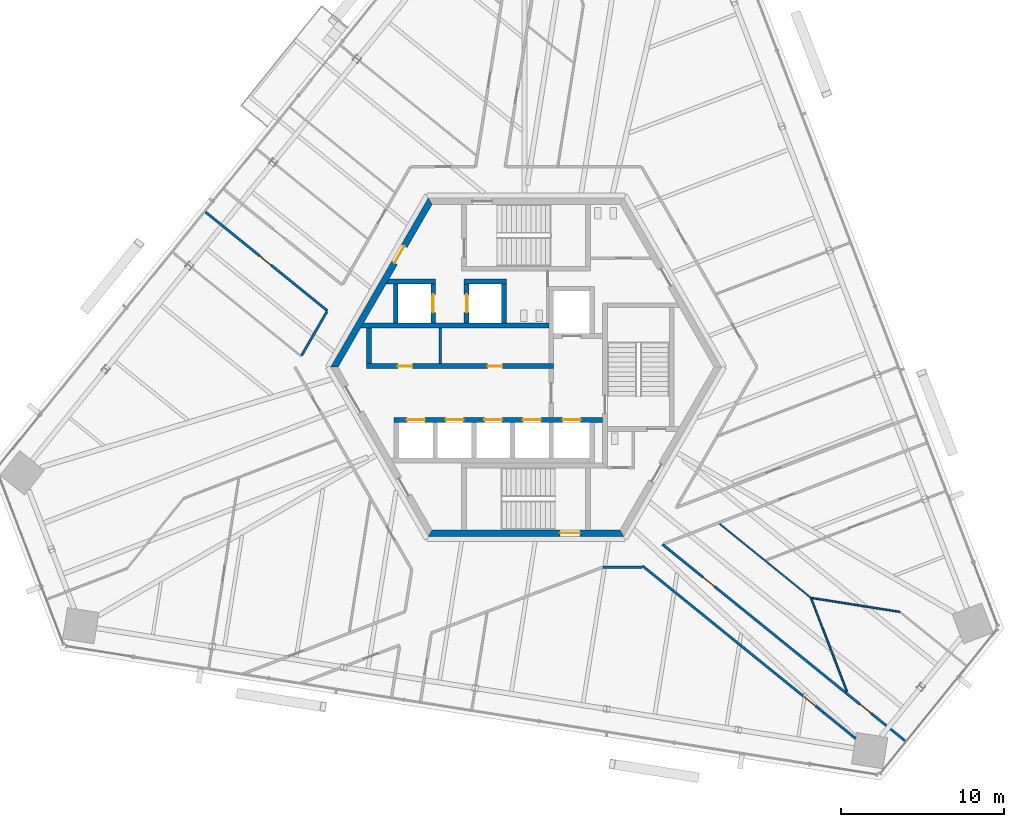
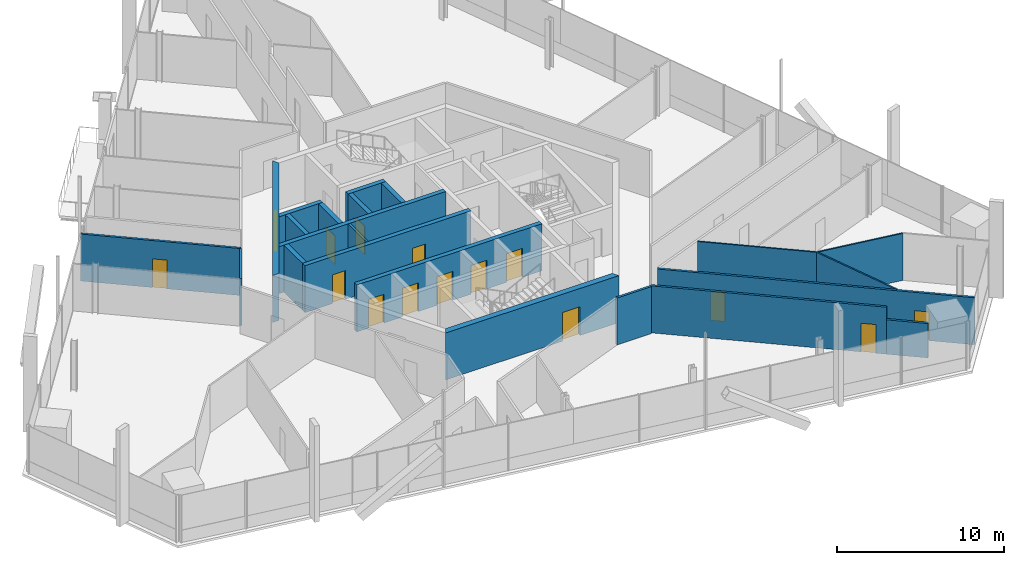
# One storey, part 12 of 21: 22 walls, 15 doors, 15 openings.
"""IFC4 building model written with IfcOpenShell, lengths in metres."""

from ifc_helpers import new_model, si_unit, direction, frame, frame_2d, origin, place, context, subcontext, project, spatial, polyline, rectangle, outline, extrude, source, transform, mapped, material, layer, layer_set, type_object, element, fill, save


model = new_model("IFC4")

# Units and contexts
model_context = context("Model", 3, precision=1e-05, world=origin(), true_north=direction((0.0, 1.0)))
body_context = subcontext(model_context, "Body", "Model", "MODEL_VIEW")
ifc_project = project(units=[si_unit("LENGTHUNIT", "METRE"), si_unit("AREAUNIT", "SQUARE_METRE"), si_unit("VOLUMEUNIT", "CUBIC_METRE"), si_unit("PLANEANGLEUNIT", "RADIAN"), si_unit("MASSUNIT", "GRAM", prefix="KILO")], contexts=[model_context])

# Site, building, storey
site_placement = place(None, origin())
site = spatial("IfcSite", under=ifc_project, at=site_placement, CompositionType="ELEMENT")
building_placement = place(site_placement, origin())
building = spatial("IfcBuilding", under=site, at=building_placement, Name="Triune Harvest Tower", CompositionType="ELEMENT")
storey_placement = place(building_placement, frame((0.0, 0.0, 146.10009765625)))
storey = spatial("IfcBuildingStorey", under=building, at=storey_placement, Name="L37", CompositionType="ELEMENT", Elevation=146.10009765625)

# Walls
ifc_material_1 = material(Name="Gypsum board on steel studs", Category="steel")
ifc_layer_1 = layer(ifc_material_1, 0.14990234375)
ifc_layer_set_1 = layer_set([ifc_layer_1], Name="Gypsum board on steel studs")
wall_type_1 = type_object("IfcWallType", Name="Fire Partition 150 mm", PredefinedType="PARTITIONING", material=ifc_layer_set_1)
wall_1_placement = place(storey_placement, frame((18.27685546875, -21.218505859375, 0.0), z_axis=(0.0, 0.0, 1.0), x_axis=(0.777132380952, -0.629337161206, 0.0)))
element("IfcWall", 1, at=wall_1_placement, inside=storey, type_object=wall_type_1, Name="Partition L37 008a", PredefinedType="PARTITIONING", context=body_context, shape_type="SweptSolid", body=[
    extrude(rectangle(XDim=2.52734375, YDim=0.14990234375, at=frame_2d((1.263671875, 0.0))), origin(), (0.0, 0.0, 1.0), 2.517822265625),
])
ifc_material_2 = material(Name="Gypsum board on steel studs", Category="steel")
ifc_layer_2 = layer(ifc_material_2, 0.10009765625)
ifc_layer_set_2 = layer_set([ifc_layer_2], Name="Gypsum board on steel studs")
wall_type_2 = type_object("IfcWallType", Name="Partition 100 mm", PredefinedType="PARTITIONING", material=ifc_layer_set_2)
wall_2_placement = place(storey_placement, frame((17.56787109375, -14.18115234375, 0.0), z_axis=(0.0, 0.0, 1.0), x_axis=(0.987687038823, -0.156442683883, 0.0)))
element("IfcWall", 2, at=wall_2_placement, inside=storey, type_object=wall_type_2, Name="Partition L37 021", PredefinedType="PARTITIONING", context=body_context, shape_type="SweptSolid", body=[
    extrude(rectangle(XDim=5.457275390625, YDim=0.10009765625, at=frame_2d((2.728515625, 0.0))), origin(), (0.0, 0.0, 1.0), 3.43994140625),
])

# Wall, opening, door
ifc_material_3 = material(Name="Concrete 70 MPa", Category="concrete")
ifc_layer_3 = layer(ifc_material_3, 0.39990234375)
ifc_layer_set_3 = layer_set([ifc_layer_3], Name="Concrete 70 MPa")
wall_type_3 = type_object("IfcWallType", Name="Core wall 400", PredefinedType="SHEAR", material=ifc_layer_set_3)
shared_shape_1 = source(origin(), body_context, "Body", "SweptSolid", [
    extrude(outline(polyline([(-0.115478515625, -0.199951171875), (11.884521484375, -0.199951171875), (11.653564453125, 0.199951171875), (0.115478515625, 0.199951171875), (-0.115478515625, -0.199951171875)])), origin(), (0.0, 0.0, 1.0), 3.43994140625),
])
wall_3_placement = place(storey_placement, frame((-5.884521484375, 10.1923828125, 0.0), z_axis=(0.0, 0.0, 1.0), x_axis=(-0.499996592174, -0.866027371285, 0.0)))
wall_3 = element("IfcWall", 3, at=wall_3_placement, inside=storey, type_object=wall_type_3, Name="Hexagon 2 wall", PredefinedType="SHEAR", context=body_context, shape_type="MappedRepresentation", body=[
    mapped(shared_shape_1, transform((0.0, 0.0, 0.0), scale=1.0)),
])
opening_1_placement = place(wall_3_placement, frame((3.1845703125, 0.0, 0.0)))
opening_1 = element("IfcOpeningElement", 4, at=opening_1_placement, cuts=wall_3, Name="Opening CD-SVP", PredefinedType="OPENING", context=body_context, shape_type="SweptSolid", body=[
    extrude(rectangle(XDim=1.199951171875, YDim=2.10009765625, at=frame_2d((0.60009765625, 1.050048828125))), frame((0.0, 0.2099609375, 0.0), z_axis=(0.0, -1.0, 0.0), x_axis=(1.0, 0.0, 0.0)), (0.0, 0.0, 1.0), 0.419921875),
])
ifc_material_4 = material(Name="Steel S235", Category="steel")
door_type_1 = type_object("IfcDoorType", Name="Service door 1200 FD120", OperationType="SINGLE_SWING_LEFT", PredefinedType="DOOR", material=ifc_material_4)
door_1_placement = place(opening_1_placement, frame((1.199951171875, 0.0, 0.0), z_axis=(0.0, 0.0, 1.0), x_axis=(-1.0, 0.0, 0.0)))
door_1 = element("IfcDoor", 5, at=door_1_placement, inside=storey, type_object=door_type_1, Name="Door CD-SVP", OperationType="SINGLE_SWING_RIGHT", OverallHeight=2.10009765625, OverallWidth=1.199951171875, PredefinedType="DOOR", context=body_context, shape_type="SweptSolid", body=[
    extrude(rectangle(XDim=1.199951171875, YDim=2.10009765625, at=frame_2d((0.60009765625, 1.050048828125))), frame((0.0, 0.02490234375, 0.0), z_axis=(0.0, -1.0, 0.0), x_axis=(1.0, 0.0, 0.0)), (0.0, 0.0, 1.0), 0.050048828125),
])
fill(opening_1, door_1)

wall_4_placement = place(storey_placement, frame((-5.884521484375, -10.1923828125, 0.0), z_axis=(0.0, 0.0, 1.0), x_axis=(1.0, 0.0, 0.0)))
wall_4 = element("IfcWall", 6, at=wall_4_placement, inside=storey, type_object=wall_type_3, Name="Hexagon 4 wall", PredefinedType="SHEAR", context=body_context, shape_type="MappedRepresentation", body=[
    mapped(shared_shape_1, transform((0.0, 0.0, 0.0), scale=1.0)),
])
opening_2_placement = place(wall_4_placement, frame((7.984619140625, 0.0, 0.0)))
opening_2 = element("IfcOpeningElement", 7, at=opening_2_placement, cuts=wall_4, Name="Opening CD-S2P", PredefinedType="OPENING", context=body_context, shape_type="SweptSolid", body=[
    extrude(rectangle(XDim=1.199951171875, YDim=2.10009765625, at=frame_2d((0.60009765625, 1.050048828125))), frame((0.0, 0.2099609375, 0.0), z_axis=(0.0, -1.0, 0.0), x_axis=(1.0, 0.0, 0.0)), (0.0, 0.0, 1.0), 0.419921875),
])
ifc_material_5 = material(Name="Steel S235", Category="steel")
door_type_2 = type_object("IfcDoorType", Name="Stair door 1200 FD120", OperationType="SINGLE_SWING_LEFT", PredefinedType="DOOR", material=ifc_material_5)
door_2_placement = place(opening_2_placement, frame((1.199951171875, 0.0, 0.0), z_axis=(0.0, 0.0, 1.0), x_axis=(-1.0, 0.0, 0.0)))
door_2 = element("IfcDoor", 8, at=door_2_placement, inside=storey, type_object=door_type_2, Name="Door CD-S2P", OperationType="SINGLE_SWING_RIGHT", OverallHeight=2.10009765625, OverallWidth=1.199951171875, PredefinedType="DOOR", context=body_context, shape_type="SweptSolid", body=[
    extrude(rectangle(XDim=1.199951171875, YDim=2.10009765625, at=frame_2d((0.60009765625, 1.050048828125))), frame((0.0, 0.02490234375, 0.0), z_axis=(0.0, -1.0, 0.0), x_axis=(1.0, 0.0, 0.0)), (0.0, 0.0, 1.0), 0.050048828125),
])
fill(opening_2, door_2)

# Wall, openings, doors
ifc_material_6 = material(Name="Concrete 70 MPa", Category="concrete")
ifc_layer_4 = layer(ifc_material_6, 0.300048828125)
ifc_layer_set_4 = layer_set([ifc_layer_4], Name="Concrete 70 MPa")
wall_type_4 = type_object("IfcWallType", Name="Core wall 300", PredefinedType="SHEAR", material=ifc_layer_set_4)
shared_shape_2 = source(origin(), body_context, "Body", "SweptSolid", [
    extrude(rectangle(XDim=11.5, YDim=0.300048828125, at=frame_2d((5.75, 0.0))), origin(), (0.0, 0.0, 1.0), 3.43994140625),
])
wall_5_placement = place(storey_placement, frame((-9.800048828125, 0.06005859375, 0.0), z_axis=(0.0, 0.0, 1.0), x_axis=(1.0, 0.0, 0.0)))
wall_5 = element("IfcWall", 9, at=wall_5_placement, inside=storey, type_object=wall_type_4, Name="North front wall", PredefinedType="SHEAR", context=body_context, shape_type="MappedRepresentation", body=[
    mapped(shared_shape_2, transform((0.0, 0.0, 0.0), scale=1.0)),
])
opening_3_placement = place(wall_5_placement, frame((1.922607421875, 0.0, 0.0)))
opening_3 = element("IfcOpeningElement", 10, at=opening_3_placement, cuts=wall_5, Name="Opening CD-RN1", PredefinedType="OPENING", context=body_context, shape_type="SweptSolid", body=[
    extrude(rectangle(XDim=0.89990234375, YDim=2.10009765625, at=frame_2d((0.449951171875, 1.050048828125))), frame((0.0, 0.16015625, 0.0), z_axis=(0.0, -1.0, 0.0), x_axis=(1.0, 0.0, 0.0)), (0.0, 0.0, 1.0), 0.320068359375),
])
opening_4_placement = place(wall_5_placement, frame((7.447509765625, 0.0, 0.0)))
opening_4 = element("IfcOpeningElement", 11, at=opening_4_placement, cuts=wall_5, Name="Opening CD-RN2", PredefinedType="OPENING", context=body_context, shape_type="SweptSolid", body=[
    extrude(rectangle(XDim=0.89990234375, YDim=2.10009765625, at=frame_2d((0.449951171875, 1.050048828125))), frame((0.0, 0.16015625, 0.0), z_axis=(0.0, -1.0, 0.0), x_axis=(1.0, 0.0, 0.0)), (0.0, 0.0, 1.0), 0.320068359375),
])
ifc_material_7 = material(Name="Steel S235", Category="steel")
door_type_3 = type_object("IfcDoorType", Name="Riser door 900 FD120", OperationType="SINGLE_SWING_LEFT", PredefinedType="DOOR", material=ifc_material_7)
door_3_placement = place(opening_3_placement, frame((0.89990234375, 0.0, 0.0), z_axis=(0.0, 0.0, 1.0), x_axis=(-1.0, 0.0, 0.0)))
door_3 = element("IfcDoor", 12, at=door_3_placement, inside=storey, type_object=door_type_3, Name="Door CD-RN1", OperationType="SINGLE_SWING_RIGHT", OverallHeight=2.10009765625, OverallWidth=0.89990234375, PredefinedType="DOOR", context=body_context, shape_type="SweptSolid", body=[
    extrude(rectangle(XDim=0.89990234375, YDim=2.10009765625, at=frame_2d((0.449951171875, 1.050048828125))), frame((0.0, 0.02490234375, 0.0), z_axis=(0.0, -1.0, 0.0), x_axis=(1.0, 0.0, 0.0)), (0.0, 0.0, 1.0), 0.050048828125),
])
fill(opening_3, door_3)
door_4_placement = place(opening_4_placement, frame((0.89990234375, 0.0, 0.0), z_axis=(0.0, 0.0, 1.0), x_axis=(-1.0, 0.0, 0.0)))
door_4 = element("IfcDoor", 13, at=door_4_placement, inside=storey, type_object=door_type_3, Name="Door CD-RN2", OperationType="SINGLE_SWING_RIGHT", OverallHeight=2.10009765625, OverallWidth=0.89990234375, PredefinedType="DOOR", context=body_context, shape_type="SweptSolid", body=[
    extrude(rectangle(XDim=0.89990234375, YDim=2.10009765625, at=frame_2d((0.449951171875, 1.050048828125))), frame((0.0, 0.02490234375, 0.0), z_axis=(0.0, -1.0, 0.0), x_axis=(1.0, 0.0, 0.0)), (0.0, 0.0, 1.0), 0.050048828125),
])
fill(opening_4, door_4)

# Wall
shared_shape_3 = source(origin(), body_context, "Body", "SweptSolid", [
    extrude(outline(polyline([(11.199951171875, -0.14990234375), (-0.34912109375, -0.14990234375), (-0.17578125, 0.14990234375), (11.199951171875, 0.14990234375), (11.199951171875, -0.14990234375)])), origin(), (0.0, 0.0, 1.0), 3.43994140625),
])
wall_6_placement = place(storey_placement, frame((-9.800048828125, 2.56005859375, 0.0), z_axis=(0.0, 0.0, 1.0), x_axis=(1.0, 0.0, 0.0)))
element("IfcWall", 14, at=wall_6_placement, inside=storey, type_object=wall_type_4, Name="North back wall", PredefinedType="SHEAR", context=body_context, shape_type="MappedRepresentation", body=[
    mapped(shared_shape_3, transform((0.0, 0.0, 0.0), scale=1.0)),
])

# Wall, openings, doors
shared_shape_4 = source(origin(), body_context, "Body", "SweptSolid", [
    extrude(rectangle(XDim=12.800048828125, YDim=0.300048828125, at=frame_2d((6.39990234375, 0.0))), origin(), (0.0, 0.0, 1.0), 3.43994140625),
])
wall_7_placement = place(storey_placement, frame((-8.10009765625, -3.239990234375, 0.0), z_axis=(0.0, 0.0, 1.0), x_axis=(1.0, 0.0, 0.0)))
wall_7 = element("IfcWall", 15, at=wall_7_placement, inside=storey, type_object=wall_type_4, Name="South front wall", PredefinedType="SHEAR", context=body_context, shape_type="MappedRepresentation", body=[
    mapped(shared_shape_4, transform((0.0, 0.0, 0.0), scale=1.0)),
])
opening_5_placement = place(wall_7_placement, frame((0.78759765625, 0.0, 0.0)))
opening_5 = element("IfcOpeningElement", 16, at=opening_5_placement, cuts=wall_7, Name="Opening LD-HR1-37", PredefinedType="OPENING", context=body_context, shape_type="SweptSolid", body=[
    extrude(rectangle(XDim=1.10009765625, YDim=2.10009765625, at=frame_2d((0.550048828125, 1.050048828125))), frame((0.0, 0.16015625, 0.0), z_axis=(0.0, -1.0, 0.0), x_axis=(1.0, 0.0, 0.0)), (0.0, 0.0, 1.0), 0.320068359375),
])
opening_6_placement = place(wall_7_placement, frame((3.16259765625, 0.0, 0.0)))
opening_6 = element("IfcOpeningElement", 17, at=opening_6_placement, cuts=wall_7, Name="Opening LD-HR2-37", PredefinedType="OPENING", context=body_context, shape_type="SweptSolid", body=[
    extrude(rectangle(XDim=1.10009765625, YDim=2.10009765625, at=frame_2d((0.550048828125, 1.050048828125))), frame((0.0, 0.16015625, 0.0), z_axis=(0.0, -1.0, 0.0), x_axis=(1.0, 0.0, 0.0)), (0.0, 0.0, 1.0), 0.320068359375),
])
opening_7_placement = place(wall_7_placement, frame((5.53759765625, 0.0, 0.0)))
opening_7 = element("IfcOpeningElement", 18, at=opening_7_placement, cuts=wall_7, Name="Opening LD-HR3-37", PredefinedType="OPENING", context=body_context, shape_type="SweptSolid", body=[
    extrude(rectangle(XDim=1.10009765625, YDim=2.10009765625, at=frame_2d((0.550048828125, 1.050048828125))), frame((0.0, 0.16015625, 0.0), z_axis=(0.0, -1.0, 0.0), x_axis=(1.0, 0.0, 0.0)), (0.0, 0.0, 1.0), 0.320068359375),
])
opening_8_placement = place(wall_7_placement, frame((7.91259765625, 0.0, 0.0)))
opening_8 = element("IfcOpeningElement", 19, at=opening_8_placement, cuts=wall_7, Name="Opening LD-HR4-37", PredefinedType="OPENING", context=body_context, shape_type="SweptSolid", body=[
    extrude(rectangle(XDim=1.10009765625, YDim=2.10009765625, at=frame_2d((0.550048828125, 1.050048828125))), frame((0.0, 0.16015625, 0.0), z_axis=(0.0, -1.0, 0.0), x_axis=(1.0, 0.0, 0.0)), (0.0, 0.0, 1.0), 0.320068359375),
])
opening_9_placement = place(wall_7_placement, frame((10.35009765625, 0.0, 0.0)))
opening_9 = element("IfcOpeningElement", 20, at=opening_9_placement, cuts=wall_7, Name="Opening LD-FF2-37", PredefinedType="OPENING", context=body_context, shape_type="SweptSolid", body=[
    extrude(rectangle(XDim=1.10009765625, YDim=2.10009765625, at=frame_2d((0.550048828125, 1.050048828125))), frame((0.0, 0.16015625, 0.0), z_axis=(0.0, -1.0, 0.0), x_axis=(1.0, 0.0, 0.0)), (0.0, 0.0, 1.0), 0.320068359375),
])
ifc_material_8 = material(Name="Stainless steel AISI 304", Category="steel")
door_type_4 = type_object("IfcDoorType", Name="Landing door 1100 x 2100", OperationType="DOUBLE_DOOR_SLIDING", PredefinedType="DOOR", material=ifc_material_8)
door_5_placement = place(opening_5_placement, origin())
door_5 = element("IfcDoor", 21, at=door_5_placement, inside=storey, type_object=door_type_4, Name="Door LD-HR1-37", OperationType="DOUBLE_DOOR_SLIDING", OverallHeight=2.10009765625, OverallWidth=1.10009765625, PredefinedType="DOOR", context=body_context, shape_type="SweptSolid", body=[
    extrude(rectangle(XDim=1.10009765625, YDim=2.10009765625, at=frame_2d((0.550048828125, 1.050048828125))), frame((0.0, 0.02490234375, 0.0), z_axis=(0.0, -1.0, 0.0), x_axis=(1.0, 0.0, 0.0)), (0.0, 0.0, 1.0), 0.050048828125),
])
fill(opening_5, door_5)
door_6_placement = place(opening_6_placement, origin())
door_6 = element("IfcDoor", 22, at=door_6_placement, inside=storey, type_object=door_type_4, Name="Door LD-HR2-37", OperationType="DOUBLE_DOOR_SLIDING", OverallHeight=2.10009765625, OverallWidth=1.10009765625, PredefinedType="DOOR", context=body_context, shape_type="SweptSolid", body=[
    extrude(rectangle(XDim=1.10009765625, YDim=2.10009765625, at=frame_2d((0.550048828125, 1.050048828125))), frame((0.0, 0.02490234375, 0.0), z_axis=(0.0, -1.0, 0.0), x_axis=(1.0, 0.0, 0.0)), (0.0, 0.0, 1.0), 0.050048828125),
])
fill(opening_6, door_6)
door_7_placement = place(opening_7_placement, origin())
door_7 = element("IfcDoor", 23, at=door_7_placement, inside=storey, type_object=door_type_4, Name="Door LD-HR3-37", OperationType="DOUBLE_DOOR_SLIDING", OverallHeight=2.10009765625, OverallWidth=1.10009765625, PredefinedType="DOOR", context=body_context, shape_type="SweptSolid", body=[
    extrude(rectangle(XDim=1.10009765625, YDim=2.10009765625, at=frame_2d((0.550048828125, 1.050048828125))), frame((0.0, 0.02490234375, 0.0), z_axis=(0.0, -1.0, 0.0), x_axis=(1.0, 0.0, 0.0)), (0.0, 0.0, 1.0), 0.050048828125),
])
fill(opening_7, door_7)
door_8_placement = place(opening_8_placement, origin())
door_8 = element("IfcDoor", 24, at=door_8_placement, inside=storey, type_object=door_type_4, Name="Door LD-HR4-37", OperationType="DOUBLE_DOOR_SLIDING", OverallHeight=2.10009765625, OverallWidth=1.10009765625, PredefinedType="DOOR", context=body_context, shape_type="SweptSolid", body=[
    extrude(rectangle(XDim=1.10009765625, YDim=2.10009765625, at=frame_2d((0.550048828125, 1.050048828125))), frame((0.0, 0.02490234375, 0.0), z_axis=(0.0, -1.0, 0.0), x_axis=(1.0, 0.0, 0.0)), (0.0, 0.0, 1.0), 0.050048828125),
])
fill(opening_8, door_8)
door_9_placement = place(opening_9_placement, origin())
door_9 = element("IfcDoor", 25, at=door_9_placement, inside=storey, type_object=door_type_4, Name="Door LD-FF2-37", OperationType="DOUBLE_DOOR_SLIDING", OverallHeight=2.10009765625, OverallWidth=1.10009765625, PredefinedType="DOOR", context=body_context, shape_type="SweptSolid", body=[
    extrude(rectangle(XDim=1.10009765625, YDim=2.10009765625, at=frame_2d((0.550048828125, 1.050048828125))), frame((0.0, 0.02490234375, 0.0), z_axis=(0.0, -1.0, 0.0), x_axis=(1.0, 0.0, 0.0)), (0.0, 0.0, 1.0), 0.050048828125),
])
fill(opening_9, door_9)

# Walls
shared_shape_5 = source(origin(), body_context, "Body", "SweptSolid", [
    extrude(rectangle(XDim=2.199951171875, YDim=0.300048828125, at=frame_2d((1.10009765625, 0.0))), origin(), (0.0, 0.0, 1.0), 3.43994140625),
])
wall_8_placement = place(storey_placement, frame((-9.64990234375, 0.2099609375, 0.0), z_axis=(0.0, 0.0, 1.0), x_axis=(0.0, 1.0, 0.0)))
element("IfcWall", 26, at=wall_8_placement, inside=storey, type_object=wall_type_4, Name="North end west wall", PredefinedType="SHEAR", context=body_context, shape_type="MappedRepresentation", body=[
    mapped(shared_shape_5, transform((0.0, 0.0, 0.0), scale=1.0)),
])
shared_shape_6 = source(origin(), body_context, "Body", "SweptSolid", [
    extrude(outline(polyline([(2.60009765625, -0.14990234375), (-0.440185546875, -0.14990234375), (-0.26708984375, 0.14990234375), (2.60009765625, 0.14990234375), (2.60009765625, -0.14990234375)])), origin(), (0.0, 0.0, 1.0), 3.43994140625),
])
wall_9_placement = place(storey_placement, frame((-8.14990234375, 5.260009765625, 0.0), z_axis=(0.0, 0.0, 1.0), x_axis=(1.0, 0.0, 0.0)))
element("IfcWall", 27, at=wall_9_placement, inside=storey, type_object=wall_type_4, Name="Sv1 north wall", PredefinedType="SHEAR", context=body_context, shape_type="MappedRepresentation", body=[
    mapped(shared_shape_6, transform((0.0, 0.0, 0.0), scale=1.0)),
])
shared_shape_7 = source(origin(), body_context, "Body", "SweptSolid", [
    extrude(rectangle(XDim=2.400146484375, YDim=0.300048828125, at=frame_2d((1.2001953125, 0.0))), origin(), (0.0, 0.0, 1.0), 3.43994140625),
])
wall_10_placement = place(storey_placement, frame((-8.0, 2.7099609375, 0.0), z_axis=(0.0, 0.0, 1.0), x_axis=(0.0, 1.0, 0.0)))
element("IfcWall", 28, at=wall_10_placement, inside=storey, type_object=wall_type_4, Name="Sv1 west wall", PredefinedType="SHEAR", context=body_context, shape_type="MappedRepresentation", body=[
    mapped(shared_shape_7, transform((0.0, 0.0, 0.0), scale=1.0)),
])

# Wall, opening, door
wall_11_placement = place(storey_placement, frame((-5.699951171875, 2.7099609375, 0.0), z_axis=(0.0, 0.0, 1.0), x_axis=(0.0, 1.0, 0.0)))
wall_11 = element("IfcWall", 29, at=wall_11_placement, inside=storey, type_object=wall_type_4, Name="Sv1 east wall", PredefinedType="SHEAR", context=body_context, shape_type="MappedRepresentation", body=[
    mapped(shared_shape_7, transform((0.0, 0.0, 0.0), scale=1.0)),
])
opening_10_placement = place(wall_11_placement, frame((0.64990234375, 0.0, 0.0)))
opening_10 = element("IfcOpeningElement", 30, at=opening_10_placement, cuts=wall_11, Name="Opening LD-SV1-37", PredefinedType="OPENING", context=body_context, shape_type="SweptSolid", body=[
    extrude(rectangle(XDim=1.10009765625, YDim=2.10009765625, at=frame_2d((0.550048828125, 1.050048828125))), frame((0.0, 0.16015625, 0.0), z_axis=(0.0, -1.0, 0.0), x_axis=(1.0, 0.0, 0.0)), (0.0, 0.0, 1.0), 0.320068359375),
])
door_10_placement = place(opening_10_placement, origin())
door_10 = element("IfcDoor", 31, at=door_10_placement, inside=storey, type_object=door_type_4, Name="Door LD-SV1-37", OperationType="DOUBLE_DOOR_SLIDING", OverallHeight=2.10009765625, OverallWidth=1.10009765625, PredefinedType="DOOR", context=body_context, shape_type="SweptSolid", body=[
    extrude(rectangle(XDim=1.10009765625, YDim=2.10009765625, at=frame_2d((0.550048828125, 1.050048828125))), frame((0.0, 0.02490234375, 0.0), z_axis=(0.0, -1.0, 0.0), x_axis=(1.0, 0.0, 0.0)), (0.0, 0.0, 1.0), 0.050048828125),
])
fill(opening_10, door_10)

wall_12_placement = place(storey_placement, frame((-3.64990234375, 2.7099609375, 0.0), z_axis=(0.0, 0.0, 1.0), x_axis=(0.0, 1.0, 0.0)))
wall_12 = element("IfcWall", 32, at=wall_12_placement, inside=storey, type_object=wall_type_4, Name="Sv2 west wall", PredefinedType="SHEAR", context=body_context, shape_type="MappedRepresentation", body=[
    mapped(shared_shape_7, transform((0.0, 0.0, 0.0), scale=1.0)),
])
opening_11_placement = place(wall_12_placement, frame((0.64990234375, 0.0, 0.0)))
opening_11 = element("IfcOpeningElement", 33, at=opening_11_placement, cuts=wall_12, Name="Opening LD-SV2-37", PredefinedType="OPENING", context=body_context, shape_type="SweptSolid", body=[
    extrude(rectangle(XDim=1.10009765625, YDim=2.10009765625, at=frame_2d((0.550048828125, 1.050048828125))), frame((0.0, 0.16015625, 0.0), z_axis=(0.0, -1.0, 0.0), x_axis=(1.0, 0.0, 0.0)), (0.0, 0.0, 1.0), 0.320068359375),
])
door_11_placement = place(opening_11_placement, origin())
door_11 = element("IfcDoor", 34, at=door_11_placement, inside=storey, type_object=door_type_4, Name="Door LD-SV2-37", OperationType="DOUBLE_DOOR_SLIDING", OverallHeight=2.10009765625, OverallWidth=1.10009765625, PredefinedType="DOOR", context=body_context, shape_type="SweptSolid", body=[
    extrude(rectangle(XDim=1.10009765625, YDim=2.10009765625, at=frame_2d((0.550048828125, 1.050048828125))), frame((0.0, 0.02490234375, 0.0), z_axis=(0.0, -1.0, 0.0), x_axis=(1.0, 0.0, 0.0)), (0.0, 0.0, 1.0), 0.050048828125),
])
fill(opening_11, door_11)

# Walls
wall_13_placement = place(storey_placement, frame((-1.35009765625, 2.7099609375, 0.0), z_axis=(0.0, 0.0, 1.0), x_axis=(0.0, 1.0, 0.0)))
element("IfcWall", 35, at=wall_13_placement, inside=storey, type_object=wall_type_4, Name="Sv2 east wall", PredefinedType="SHEAR", context=body_context, shape_type="MappedRepresentation", body=[
    mapped(shared_shape_7, transform((0.0, 0.0, 0.0), scale=1.0)),
])
shared_shape_8 = source(origin(), body_context, "Body", "SweptSolid", [
    extrude(rectangle(XDim=2.60009765625, YDim=0.300048828125, at=frame_2d((1.300048828125, 0.0))), origin(), (0.0, 0.0, 1.0), 3.43994140625),
])
wall_14_placement = place(storey_placement, frame((-3.800048828125, 5.260009765625, 0.0), z_axis=(0.0, 0.0, 1.0), x_axis=(1.0, 0.0, 0.0)))
element("IfcWall", 36, at=wall_14_placement, inside=storey, type_object=wall_type_4, Name="Sv2 north wall", PredefinedType="SHEAR", context=body_context, shape_type="MappedRepresentation", body=[
    mapped(shared_shape_8, transform((0.0, 0.0, 0.0), scale=1.0)),
])
ifc_material_9 = material(Name="Concrete masonry unit", Category="masonry")
ifc_layer_5 = layer(ifc_material_9, 0.14990234375)
ifc_layer_set_5 = layer_set([ifc_layer_5], Name="Concrete masonry unit")
wall_type_5 = type_object("IfcWallType", Name="Block partition 150", PredefinedType="PARTITIONING", material=ifc_layer_set_5)
shared_shape_9 = source(origin(), body_context, "Body", "SweptSolid", [
    extrude(rectangle(XDim=2.199951171875, YDim=0.14990234375, at=frame_2d((1.10009765625, 0.0))), origin(), (0.0, 0.0, 1.0), 3.43994140625),
])
wall_15_placement = place(storey_placement, frame((-5.280029296875, 0.2099609375, 0.0), z_axis=(0.0, 0.0, 1.0), x_axis=(0.0, 1.0, 0.0)))
element("IfcWall", 37, at=wall_15_placement, inside=storey, type_object=wall_type_5, Name="Row n part 1 wall", PredefinedType="PARTITIONING", context=body_context, shape_type="MappedRepresentation", body=[
    mapped(shared_shape_9, transform((0.0, 0.0, 0.0), scale=1.0)),
])
shared_shape_10 = source(origin(), body_context, "Body", "SweptSolid", [
    extrude(rectangle(XDim=6.175048828125, YDim=0.10009765625, at=frame_2d((3.08740234375, 0.0))), origin(), (0.0, 0.0, 1.0), 3.43994140625),
])
wall_16_placement = place(storey_placement, frame((17.498779296875, -14.170166015625, 0.0), z_axis=(0.0, 0.0, 1.0), x_axis=(0.358361696596, -0.933582826756, 0.0)))
element("IfcWall", 38, at=wall_16_placement, inside=storey, type_object=wall_type_2, Name="Partition L37 002", PredefinedType="PARTITIONING", context=body_context, shape_type="MappedRepresentation", body=[
    mapped(shared_shape_10, transform((0.0, 0.0, 0.0), scale=1.0)),
])

# Wall, opening, door
shared_shape_11 = source(origin(), body_context, "Body", "SweptSolid", [
    extrude(rectangle(XDim=9.695068359375, YDim=0.14990234375, at=frame_2d((4.84765625, 0.0))), origin(), (0.0, 0.0, 1.0), 3.43994140625),
])
wall_17_placement = place(storey_placement, frame((-19.731201171875, 9.560302734375, 0.0), z_axis=(0.0, 0.0, 1.0), x_axis=(0.777142821496, -0.629324268559, 0.0)))
wall_17 = element("IfcWall", 39, at=wall_17_placement, inside=storey, type_object=wall_type_1, Name="Partition L37 007", PredefinedType="PARTITIONING", context=body_context, shape_type="MappedRepresentation", body=[
    mapped(shared_shape_11, transform((0.0, 0.0, 0.0), scale=1.0)),
])
opening_12_placement = place(wall_17_placement, frame((4.35009765625, 0.0, 0.0)))
opening_12 = element("IfcOpeningElement", 40, at=opening_12_placement, cuts=wall_17, Name="Opening L37-012", PredefinedType="OPENING", context=body_context, shape_type="SweptSolid", body=[
    extrude(rectangle(XDim=0.89990234375, YDim=2.10009765625, at=frame_2d((0.449951171875, 1.050048828125))), frame((0.0, 0.0849609375, 0.0), z_axis=(0.0, -1.0, 0.0), x_axis=(1.0, 0.0, 0.0)), (0.0, 0.0, 1.0), 0.169921875),
])
ifc_material_10 = material(Name="Timber and steel door set", Category="steel")
door_type_5 = type_object("IfcDoorType", Name="Single leaf door FD30 right hand 900 x 2100", OperationType="SINGLE_SWING_RIGHT", PredefinedType="DOOR", material=ifc_material_10)
door_12_placement = place(opening_12_placement, origin())
door_12 = element("IfcDoor", 41, at=door_12_placement, inside=storey, type_object=door_type_5, Name="Door L37-012 Meeting Room 37.12", OperationType="SINGLE_SWING_RIGHT", OverallHeight=2.10009765625, OverallWidth=0.89990234375, PredefinedType="DOOR", context=body_context, shape_type="SweptSolid", body=[
    extrude(rectangle(XDim=0.89990234375, YDim=2.10009765625, at=frame_2d((0.449951171875, 1.050048828125))), frame((0.0, 0.02490234375, 0.0), z_axis=(0.0, -1.0, 0.0), x_axis=(1.0, 0.0, 0.0)), (0.0, 0.0, 1.0), 0.050048828125),
])
fill(opening_12, door_12)

shared_shape_12 = source(origin(), body_context, "Body", "SweptSolid", [
    extrude(rectangle(XDim=14.321533203125, YDim=0.14990234375, at=frame_2d((7.16064453125, 0.0))), origin(), (0.0, 0.0, 1.0), 3.43994140625),
])
wall_18_placement = place(storey_placement, frame((7.14697265625, -12.20556640625, 0.0), z_axis=(0.0, 0.0, 1.0), x_axis=(0.777141246754, -0.629326213179, 0.0)))
wall_18 = element("IfcWall", 42, at=wall_18_placement, inside=storey, type_object=wall_type_1, Name="Partition L37 008", PredefinedType="PARTITIONING", context=body_context, shape_type="MappedRepresentation", body=[
    mapped(shared_shape_12, transform((0.0, 0.0, 0.0), scale=1.0)),
])
opening_13_placement = place(wall_18_placement, frame((12.7734375, 0.0, 0.0)))
opening_13 = element("IfcOpeningElement", 43, at=opening_13_placement, cuts=wall_18, Name="Opening L37-020", PredefinedType="OPENING", context=body_context, shape_type="SweptSolid", body=[
    extrude(rectangle(XDim=0.89990234375, YDim=2.10009765625, at=frame_2d((0.449951171875, 1.050048828125))), frame((0.0, 0.0849609375, 0.0), z_axis=(0.0, -1.0, 0.0), x_axis=(1.0, 0.0, 0.0)), (0.0, 0.0, 1.0), 0.169921875),
])
ifc_material_11 = material(Name="Timber and steel door set", Category="steel")
door_type_6 = type_object("IfcDoorType", Name="Single leaf door FD30 left hand 900 x 2100", OperationType="SINGLE_SWING_LEFT", PredefinedType="DOOR", material=ifc_material_11)
door_13_placement = place(opening_13_placement, origin())
door_13 = element("IfcDoor", 44, at=door_13_placement, inside=storey, type_object=door_type_6, Name="Door L37-020 Open Office 37.20", OperationType="SINGLE_SWING_LEFT", OverallHeight=2.10009765625, OverallWidth=0.89990234375, PredefinedType="DOOR", context=body_context, shape_type="SweptSolid", body=[
    extrude(rectangle(XDim=0.89990234375, YDim=2.10009765625, at=frame_2d((0.449951171875, 1.050048828125))), frame((0.0, 0.02490234375, 0.0), z_axis=(0.0, -1.0, 0.0), x_axis=(1.0, 0.0, 0.0)), (0.0, 0.0, 1.0), 0.050048828125),
])
fill(opening_13, door_13)

# Wall, openings, doors
shared_shape_13 = source(origin(), body_context, "Body", "SweptSolid", [
    extrude(rectangle(XDim=19.250244140625, YDim=0.14990234375, at=frame_2d((9.625, 0.0))), origin(), (0.0, 0.0, 1.0), 3.43994140625),
])
wall_19_placement = place(storey_placement, frame((8.37548828125, -10.884033203125, 0.0), z_axis=(0.0, 0.0, 1.0), x_axis=(0.777140603602, -0.629327007392, 0.0)))
wall_19 = element("IfcWall", 45, at=wall_19_placement, inside=storey, type_object=wall_type_1, Name="Partition L37 010", PredefinedType="PARTITIONING", context=body_context, shape_type="MappedRepresentation", body=[
    mapped(shared_shape_13, transform((0.0, 0.0, 0.0), scale=1.0)),
])
opening_14_placement = place(wall_19_placement, frame((3.211181640625, 0.0, 0.0)))
opening_14 = element("IfcOpeningElement", 46, at=opening_14_placement, cuts=wall_19, Name="Opening L37-021", PredefinedType="OPENING", context=body_context, shape_type="SweptSolid", body=[
    extrude(rectangle(XDim=0.89990234375, YDim=2.10009765625, at=frame_2d((0.449951171875, 1.050048828125))), frame((0.0, 0.0849609375, 0.0), z_axis=(0.0, -1.0, 0.0), x_axis=(1.0, 0.0, 0.0)), (0.0, 0.0, 1.0), 0.169921875),
])
opening_15_placement = place(wall_19_placement, frame((15.6005859375, 0.0, 0.0)))
opening_15 = element("IfcOpeningElement", 47, at=opening_15_placement, cuts=wall_19, Name="Opening L37-022", PredefinedType="OPENING", context=body_context, shape_type="SweptSolid", body=[
    extrude(rectangle(XDim=0.89990234375, YDim=2.10009765625, at=frame_2d((0.449951171875, 1.050048828125))), frame((0.0, 0.0849609375, 0.0), z_axis=(0.0, -1.0, 0.0), x_axis=(1.0, 0.0, 0.0)), (0.0, 0.0, 1.0), 0.169921875),
])
door_14_placement = place(opening_14_placement, origin())
door_14 = element("IfcDoor", 48, at=door_14_placement, inside=storey, type_object=door_type_6, Name="Door L37-021 Dry Store Room 37.21", OperationType="SINGLE_SWING_LEFT", OverallHeight=2.10009765625, OverallWidth=0.89990234375, PredefinedType="DOOR", context=body_context, shape_type="SweptSolid", body=[
    extrude(rectangle(XDim=0.89990234375, YDim=2.10009765625, at=frame_2d((0.449951171875, 1.050048828125))), frame((0.0, 0.02490234375, 0.0), z_axis=(0.0, -1.0, 0.0), x_axis=(1.0, 0.0, 0.0)), (0.0, 0.0, 1.0), 0.050048828125),
])
fill(opening_14, door_14)
door_15_placement = place(opening_15_placement, origin())
door_15 = element("IfcDoor", 49, at=door_15_placement, inside=storey, type_object=door_type_5, Name="Door L37-022 Office 37.22", OperationType="SINGLE_SWING_RIGHT", OverallHeight=2.10009765625, OverallWidth=0.89990234375, PredefinedType="DOOR", context=body_context, shape_type="SweptSolid", body=[
    extrude(rectangle(XDim=0.89990234375, YDim=2.10009765625, at=frame_2d((0.449951171875, 1.050048828125))), frame((0.0, 0.02490234375, 0.0), z_axis=(0.0, -1.0, 0.0), x_axis=(1.0, 0.0, 0.0)), (0.0, 0.0, 1.0), 0.050048828125),
])
fill(opening_15, door_15)

# Walls
shared_shape_14 = source(origin(), body_context, "Body", "SweptSolid", [
    extrude(rectangle(XDim=7.22802734375, YDim=0.10009765625, at=frame_2d((3.614013671875, 0.0))), origin(), (0.0, 0.0, 1.0), 3.43994140625),
])
wall_20_placement = place(storey_placement, frame((11.881591796875, -9.621337890625, 0.0), z_axis=(0.0, 0.0, 1.0), x_axis=(0.777137884009, -0.629330365736, 0.0)))
element("IfcWall", 50, at=wall_20_placement, inside=storey, type_object=wall_type_2, Name="Partition L37 013", PredefinedType="PARTITIONING", context=body_context, shape_type="MappedRepresentation", body=[
    mapped(shared_shape_14, transform((0.0, 0.0, 0.0), scale=1.0)),
])
shared_shape_15 = source(origin(), body_context, "Body", "SweptSolid", [
    extrude(rectangle(XDim=2.3974609375, YDim=0.14990234375, at=frame_2d((1.19873046875, 0.0))), origin(), (0.0, 0.0, 1.0), 3.43994140625),
])
wall_21_placement = place(storey_placement, frame((4.716552734375, -12.292236328125, 0.0), z_axis=(0.0, 0.0, 1.0), x_axis=(1.0, 0.0, 0.0)))
element("IfcWall", 51, at=wall_21_placement, inside=storey, type_object=wall_type_1, Name="Partition L37 022", PredefinedType="PARTITIONING", context=body_context, shape_type="MappedRepresentation", body=[
    mapped(shared_shape_15, transform((0.0, 0.0, 0.0), scale=1.0)),
])
shared_shape_16 = source(origin(), body_context, "Body", "SweptSolid", [
    extrude(rectangle(XDim=3.134521484375, YDim=0.14990234375, at=frame_2d((1.5673828125, 0.0))), origin(), (0.0, 0.0, 1.0), 3.43994140625),
])
wall_22_placement = place(storey_placement, frame((-13.7890625, 0.701171875, 0.0), z_axis=(0.0, 0.0, 1.0), x_axis=(0.500025839716, 0.866010484704, 0.0)))
element("IfcWall", 52, at=wall_22_placement, inside=storey, type_object=wall_type_1, Name="Partition L37 041", PredefinedType="PARTITIONING", context=body_context, shape_type="MappedRepresentation", body=[
    mapped(shared_shape_16, transform((0.0, 0.0, 0.0), scale=1.0)),
])

save(model, "model.ifc")
